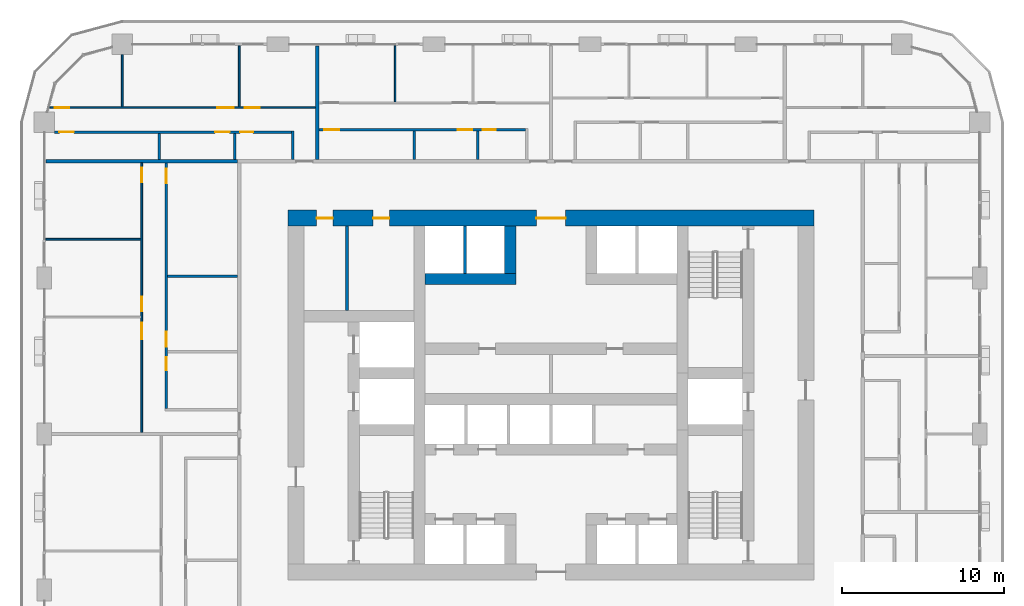
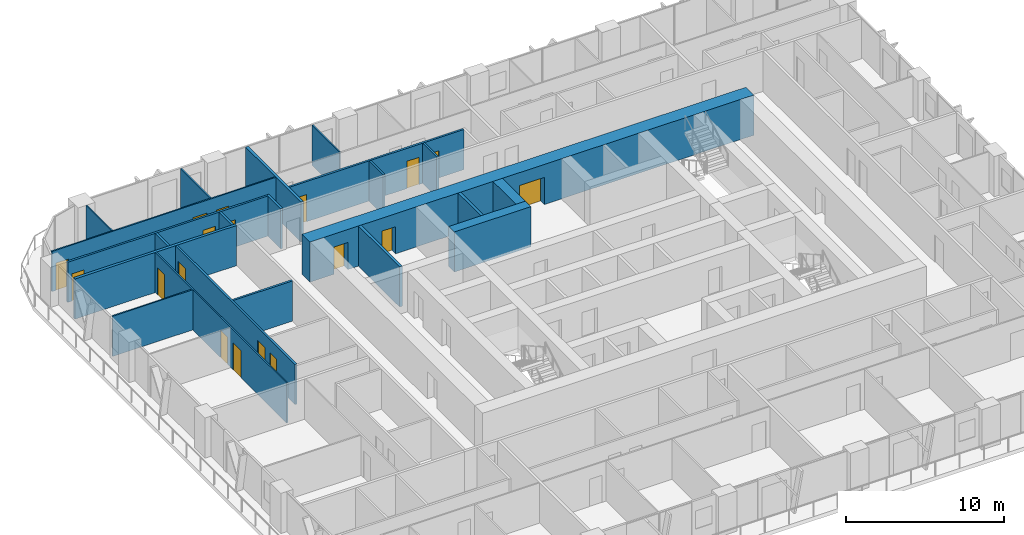
# One storey, part 13 of 21: 22 walls, 18 doors, 18 openings.
"""IFC4 building model written with IfcOpenShell, lengths in metres."""

from ifc_helpers import new_model, si_unit, direction, frame, frame_2d, origin, place, context, subcontext, project, spatial, rectangle, extrude, material, layer, layer_set, type_object, element, fill, save


model = new_model("IFC4")

# Units and contexts
model_context = context("Model", 3, precision=1e-05, world=origin(), true_north=direction((0.0, 1.0)))
body_context = subcontext(model_context, "Body", "Model", "MODEL_VIEW")
ifc_project = project(units=[si_unit("LENGTHUNIT", "METRE"), si_unit("AREAUNIT", "SQUARE_METRE"), si_unit("VOLUMEUNIT", "CUBIC_METRE"), si_unit("PLANEANGLEUNIT", "RADIAN"), si_unit("MASSUNIT", "GRAM", prefix="KILO")], contexts=[model_context])

# Site, building, storey
site_placement = place(None, origin())
site = spatial("IfcSite", under=ifc_project, at=site_placement, CompositionType="ELEMENT")
building_placement = place(site_placement, origin())
building = spatial("IfcBuilding", under=site, at=building_placement, Name="Madar Terraces", CompositionType="ELEMENT")
storey_placement = place(building_placement, frame((0.0, 0.0, 50.39990234375)))
storey = spatial("IfcBuildingStorey", under=building, at=storey_placement, Name="L12", CompositionType="ELEMENT", Elevation=50.39990234375)

# Walls
ifc_material_1 = material(Name="Concrete C80/95", Category="concrete")
ifc_layer_1 = layer(ifc_material_1, 0.699951171875)
ifc_layer_set_1 = layer_set([ifc_layer_1], Name="Concrete C80/95 (CIW1 RC wall 700)")
wall_type_1 = type_object("IfcWallType", Name="CIW1 RC wall 700", PredefinedType="SHEAR", material=ifc_layer_set_1)
wall_1_placement = place(storey_placement, frame((23.449951171875, 33.550048828125, 0.0), z_axis=(0.0, 0.0, 1.0), x_axis=(1.0, 0.0, 0.0)))
element("IfcWall", 1, at=wall_1_placement, inside=storey, type_object=wall_type_1, Name="CORE SHAFT WALL", PredefinedType="SHEAR", context=body_context, shape_type="SweptSolid", body=[
    extrude(rectangle(XDim=5.60009765625, YDim=0.699951171875, at=frame_2d((2.800048828125, 0.0))), origin(), (0.0, 0.0, 1.0), 3.10009765625),
])
wall_2_placement = place(storey_placement, frame((28.699951171875, 33.89990234375, 0.0), z_axis=(0.0, 0.0, 1.0), x_axis=(0.0, 1.0, 0.0)))
element("IfcWall", 2, at=wall_2_placement, inside=storey, type_object=wall_type_1, Name="CORE SHAFT WALL", PredefinedType="SHEAR", context=body_context, shape_type="SweptSolid", body=[
    extrude(rectangle(XDim=2.900146484375, YDim=0.699951171875, at=frame_2d((1.4501953125, 0.0))), origin(), (0.0, 0.0, 1.0), 3.10009765625),
])

# Wall, openings, doors
ifc_material_2 = material(Name="Concrete C80/95", Category="concrete")
ifc_layer_2 = layer(ifc_material_2, 1.0)
ifc_layer_set_2 = layer_set([ifc_layer_2], Name="Concrete C80/95 (CRW1 RC wall 1000)")
wall_type_2 = type_object("IfcWallType", Name="CRW1 RC wall 1000", PredefinedType="SHEAR", material=ifc_layer_set_2)
wall_3_placement = place(storey_placement, frame((15.0, 37.300048828125, 0.0), z_axis=(0.0, 0.0, 1.0), x_axis=(1.0, 0.0, 0.0)))
wall_3 = element("IfcWall", 3, at=wall_3_placement, inside=storey, type_object=wall_type_2, Name="CORE OUTER WALL", PredefinedType="SHEAR", context=body_context, shape_type="SweptSolid", body=[
    extrude(rectangle(XDim=32.39990234375, YDim=1.0, at=frame_2d((16.199951171875, 0.0))), origin(), (0.0, 0.0, 1.0), 3.10009765625),
])
opening_1_placement = place(wall_3_placement, frame((15.300048828125, 0.0, 0.0)))
opening_1 = element("IfcOpeningElement", 4, at=opening_1_placement, cuts=wall_3, Name="Opening KD1", PredefinedType="OPENING", context=body_context, shape_type="SweptSolid", body=[
    extrude(rectangle(XDim=1.800048828125, YDim=2.10009765625, at=frame_2d((0.89990234375, 1.050048828125))), frame((0.0, 0.510009765625, 0.0), z_axis=(0.0, -1.0, 0.0), x_axis=(1.0, 0.0, 0.0)), (0.0, 0.0, 1.0), 1.02001953125),
])
opening_2_placement = place(wall_3_placement, frame((1.766357421875, 0.0, 0.0)))
opening_2 = element("IfcOpeningElement", 5, at=opening_2_placement, cuts=wall_3, Name="Opening KD2", PredefinedType="OPENING", context=body_context, shape_type="SweptSolid", body=[
    extrude(rectangle(XDim=1.0, YDim=2.10009765625, at=frame_2d((0.5, 1.050048828125))), frame((0.0, 0.510009765625, 0.0), z_axis=(0.0, -1.0, 0.0), x_axis=(1.0, 0.0, 0.0)), (0.0, 0.0, 1.0), 1.02001953125),
])
opening_3_placement = place(wall_3_placement, frame((5.2412109375, 0.0, 0.0)))
opening_3 = element("IfcOpeningElement", 6, at=opening_3_placement, cuts=wall_3, Name="Opening KD2", PredefinedType="OPENING", context=body_context, shape_type="SweptSolid", body=[
    extrude(rectangle(XDim=1.0, YDim=2.10009765625, at=frame_2d((0.5, 1.050048828125))), frame((0.0, 0.510009765625, 0.0), z_axis=(0.0, -1.0, 0.0), x_axis=(1.0, 0.0, 0.0)), (0.0, 0.0, 1.0), 1.02001953125),
])
ifc_material_3 = material(Name="Steel door leaf", Category="steel")
door_type_1 = type_object("IfcDoorType", Name="Lobby door pair 1800 x 2100", OperationType="DOUBLE_DOOR_SINGLE_SWING", PredefinedType="DOOR", material=ifc_material_3)
door_1_placement = place(opening_1_placement, origin())
door_1 = element("IfcDoor", 7, at=door_1_placement, inside=storey, type_object=door_type_1, Name="LIFT LOBBY DOOR", OperationType="DOUBLE_DOOR_SINGLE_SWING", OverallHeight=2.10009765625, OverallWidth=1.800048828125, PredefinedType="DOOR", context=body_context, shape_type="SweptSolid", body=[
    extrude(rectangle(XDim=1.800048828125, YDim=2.10009765625, at=frame_2d((0.89990234375, 1.050048828125))), frame((0.0, 0.02490234375, 0.0), z_axis=(0.0, -1.0, 0.0), x_axis=(1.0, 0.0, 0.0)), (0.0, 0.0, 1.0), 0.050048828125),
])
fill(opening_1, door_1)
ifc_material_4 = material(Name="Steel door leaf", Category="steel")
door_type_2 = type_object("IfcDoorType", Name="Service room door 1000 x 2100", OperationType="NOTDEFINED", PredefinedType="DOOR", material=ifc_material_4)
door_2_placement = place(opening_2_placement, origin())
door_2 = element("IfcDoor", 8, at=door_2_placement, inside=storey, type_object=door_type_2, Name="SERVICE ROOM DOOR", OperationType="SINGLE_SWING_LEFT", OverallHeight=2.10009765625, OverallWidth=1.0, PredefinedType="DOOR", context=body_context, shape_type="SweptSolid", body=[
    extrude(rectangle(XDim=1.0, YDim=2.10009765625, at=frame_2d((0.5, 1.050048828125))), frame((0.0, 0.02490234375, 0.0), z_axis=(0.0, -1.0, 0.0), x_axis=(1.0, 0.0, 0.0)), (0.0, 0.0, 1.0), 0.050048828125),
])
fill(opening_2, door_2)
door_3_placement = place(opening_3_placement, origin())
door_3 = element("IfcDoor", 9, at=door_3_placement, inside=storey, type_object=door_type_2, Name="SERVICE ROOM DOOR", OperationType="SINGLE_SWING_RIGHT", OverallHeight=2.10009765625, OverallWidth=1.0, PredefinedType="DOOR", context=body_context, shape_type="SweptSolid", body=[
    extrude(rectangle(XDim=1.0, YDim=2.10009765625, at=frame_2d((0.5, 1.050048828125))), frame((0.0, 0.02490234375, 0.0), z_axis=(0.0, -1.0, 0.0), x_axis=(1.0, 0.0, 0.0)), (0.0, 0.0, 1.0), 0.050048828125),
])
fill(opening_3, door_3)

# Walls
ifc_material_5 = material(Name="Masonry blockwork", Category="masonry")
ifc_layer_3 = layer(ifc_material_5, 0.199951171875)
ifc_layer_set_3 = layer_set([ifc_layer_3], Name="Core partition 200 blockwork")
wall_type_3 = type_object("IfcWallType", Name="Core partition 200 blockwork", PredefinedType="PARTITIONING", material=ifc_layer_set_3)
wall_4_placement = place(storey_placement, frame((18.632568359375, 31.60009765625, 0.0), z_axis=(0.0, 0.0, 1.0), x_axis=(0.0, 1.0, 0.0)))
element("IfcWall", 10, at=wall_4_placement, inside=storey, type_object=wall_type_3, Name="SERVICE ROOM PARTITION", PredefinedType="PARTITIONING", context=body_context, shape_type="SweptSolid", body=[
    extrude(rectangle(XDim=5.199951171875, YDim=0.199951171875, at=frame_2d((2.60009765625, 0.0))), origin(), (0.0, 0.0, 1.0), 3.10009765625),
])
ifc_material_6 = material(Name="Concrete C40/50", Category="concrete")
ifc_layer_4 = layer(ifc_material_6, 0.199951171875)
ifc_layer_set_4 = layer_set([ifc_layer_4], Name="Core shaft dividing wall 200 C40/50")
wall_type_4 = type_object("IfcWallType", Name="Core shaft dividing wall 200 C40/50", PredefinedType="SOLIDWALL", material=ifc_layer_set_4)
wall_5_placement = place(storey_placement, frame((25.89990234375, 33.89990234375, 0.0), z_axis=(0.0, 0.0, 1.0), x_axis=(0.0, 1.0, 0.0)))
element("IfcWall", 11, at=wall_5_placement, inside=storey, type_object=wall_type_4, Name="SHAFT DIVIDING WALL", PredefinedType="SOLIDWALL", context=body_context, shape_type="SweptSolid", body=[
    extrude(rectangle(XDim=2.900146484375, YDim=0.199951171875, at=frame_2d((1.4501953125, 0.0))), origin(), (0.0, 0.0, 1.0), 3.10009765625),
])
ifc_material_7 = material(Name="Gypsum board on steel studs", Category="steel")
ifc_layer_5 = layer(ifc_material_7, 0.10009765625)
ifc_layer_set_5 = layer_set([ifc_layer_5], Name="Flat partition 100")
wall_type_5 = type_object("IfcWallType", Name="Flat partition 100", PredefinedType="PARTITIONING", material=ifc_layer_set_5)
wall_6_placement = place(storey_placement, frame((21.60009765625, 44.449951171875, 0.0), z_axis=(0.0, 0.0, 1.0), x_axis=(0.0, 1.0, 0.0)))
element("IfcWall", 12, at=wall_6_placement, inside=storey, type_object=wall_type_5, Name="Flat partition 100", PredefinedType="PARTITIONING", context=body_context, shape_type="SweptSolid", body=[
    extrude(rectangle(XDim=3.449951171875, YDim=0.10009765625, at=frame_2d((1.72509765625, 0.0))), origin(), (0.0, 0.0, 1.0), 3.10009765625),
])
wall_7_placement = place(storey_placement, frame((12.0, 44.14990234375, 0.0), z_axis=(0.0, 0.0, 1.0), x_axis=(0.0, 1.0, 0.0)))
element("IfcWall", 13, at=wall_7_placement, inside=storey, type_object=wall_type_5, Name="Flat partition 100", PredefinedType="PARTITIONING", context=body_context, shape_type="SweptSolid", body=[
    extrude(rectangle(XDim=3.75, YDim=0.10009765625, at=frame_2d((1.875, 0.0))), origin(), (0.0, 0.0, 1.0), 3.10009765625),
])
wall_8_placement = place(storey_placement, frame((4.800048828125, 44.14990234375, 0.0), z_axis=(0.0, 0.0, 1.0), x_axis=(0.0, 1.0, 0.0)))
element("IfcWall", 14, at=wall_8_placement, inside=storey, type_object=wall_type_5, Name="Flat partition 100", PredefinedType="PARTITIONING", context=body_context, shape_type="SweptSolid", body=[
    extrude(rectangle(XDim=3.22509765625, YDim=0.10009765625, at=frame_2d((1.612548828125, 0.0))), origin(), (0.0, 0.0, 1.0), 3.10009765625),
])

# Wall, openings, doors
wall_9_placement = place(storey_placement, frame((0.34130859375, 44.10009765625, 0.0), z_axis=(0.0, 0.0, 1.0), x_axis=(1.0, 0.0, 0.0)))
wall_9 = element("IfcWall", 15, at=wall_9_placement, inside=storey, type_object=wall_type_5, Name="Flat partition 100", PredefinedType="PARTITIONING", context=body_context, shape_type="SweptSolid", body=[
    extrude(rectangle(XDim=16.358642578125, YDim=0.10009765625, at=frame_2d((8.17919921875, 0.0))), origin(), (0.0, 0.0, 1.0), 3.10009765625),
])
opening_4_placement = place(wall_9_placement, frame((12.0087890625, 0.0, 0.0)))
opening_4 = element("IfcOpeningElement", 16, at=opening_4_placement, cuts=wall_9, Name="Opening D2", PredefinedType="OPENING", context=body_context, shape_type="SweptSolid", body=[
    extrude(rectangle(XDim=0.89990234375, YDim=2.10009765625, at=frame_2d((0.449951171875, 1.050048828125))), frame((0.0, 0.06005859375, 0.0), z_axis=(0.0, -1.0, 0.0), x_axis=(1.0, 0.0, 0.0)), (0.0, 0.0, 1.0), 0.1201171875),
])
opening_5_placement = place(wall_9_placement, frame((10.308837890625, 0.0, 0.0)))
opening_5 = element("IfcOpeningElement", 17, at=opening_5_placement, cuts=wall_9, Name="Opening D3", PredefinedType="OPENING", context=body_context, shape_type="SweptSolid", body=[
    extrude(rectangle(XDim=1.0, YDim=2.10009765625, at=frame_2d((0.5, 1.050048828125))), frame((0.0, 0.06005859375, 0.0), z_axis=(0.0, -1.0, 0.0), x_axis=(1.0, 0.0, 0.0)), (0.0, 0.0, 1.0), 0.1201171875),
])
opening_6_placement = place(wall_9_placement, frame((0.300048828125, 0.0, 0.0)))
opening_6 = element("IfcOpeningElement", 18, at=opening_6_placement, cuts=wall_9, Name="Opening D2", PredefinedType="OPENING", context=body_context, shape_type="SweptSolid", body=[
    extrude(rectangle(XDim=0.89990234375, YDim=2.10009765625, at=frame_2d((0.449951171875, 1.050048828125))), frame((0.0, 0.06005859375, 0.0), z_axis=(0.0, -1.0, 0.0), x_axis=(1.0, 0.0, 0.0)), (0.0, 0.0, 1.0), 0.1201171875),
])
ifc_material_8 = material(Name="Timber door leaf", Category="wood")
door_type_3 = type_object("IfcDoorType", Name="Flat living room door 1000", OperationType="NOTDEFINED", PredefinedType="DOOR", material=ifc_material_8)
door_4_placement = place(opening_5_placement, origin())
door_4 = element("IfcDoor", 19, at=door_4_placement, inside=storey, type_object=door_type_3, Name="Flat living room door 1000", OperationType="SINGLE_SWING_RIGHT", OverallHeight=2.10009765625, OverallWidth=1.0, PredefinedType="DOOR", context=body_context, shape_type="SweptSolid", body=[
    extrude(rectangle(XDim=1.0, YDim=2.10009765625, at=frame_2d((0.5, 1.050048828125))), frame((0.0, 0.02490234375, 0.0), z_axis=(0.0, -1.0, 0.0), x_axis=(1.0, 0.0, 0.0)), (0.0, 0.0, 1.0), 0.050048828125),
])
fill(opening_5, door_4)
ifc_material_9 = material(Name="Timber door leaf", Category="wood")
door_type_4 = type_object("IfcDoorType", Name="Flat room door 900", OperationType="NOTDEFINED", PredefinedType="DOOR", material=ifc_material_9)
door_5_placement = place(opening_4_placement, origin())
door_5 = element("IfcDoor", 20, at=door_5_placement, inside=storey, type_object=door_type_4, Name="Flat room door 900", OperationType="SINGLE_SWING_LEFT", OverallHeight=2.10009765625, OverallWidth=0.89990234375, PredefinedType="DOOR", context=body_context, shape_type="SweptSolid", body=[
    extrude(rectangle(XDim=0.89990234375, YDim=2.10009765625, at=frame_2d((0.449951171875, 1.050048828125))), frame((0.0, 0.02490234375, 0.0), z_axis=(0.0, -1.0, 0.0), x_axis=(1.0, 0.0, 0.0)), (0.0, 0.0, 1.0), 0.050048828125),
])
fill(opening_4, door_5)
door_6_placement = place(opening_6_placement, origin())
door_6 = element("IfcDoor", 21, at=door_6_placement, inside=storey, type_object=door_type_4, Name="Flat room door 900", OperationType="SINGLE_SWING_LEFT", OverallHeight=2.10009765625, OverallWidth=0.89990234375, PredefinedType="DOOR", context=body_context, shape_type="SweptSolid", body=[
    extrude(rectangle(XDim=0.89990234375, YDim=2.10009765625, at=frame_2d((0.449951171875, 1.050048828125))), frame((0.0, 0.02490234375, 0.0), z_axis=(0.0, -1.0, 0.0), x_axis=(1.0, 0.0, 0.0)), (0.0, 0.0, 1.0), 0.050048828125),
])
fill(opening_6, door_6)

# Wall
wall_10_placement = place(storey_placement, frame((5.949951171875, 36.0, 0.0), z_axis=(0.0, 0.0, 1.0), x_axis=(-1.0, 0.0, 0.0)))
element("IfcWall", 22, at=wall_10_placement, inside=storey, type_object=wall_type_5, Name="Flat partition 100", PredefinedType="PARTITIONING", context=body_context, shape_type="SweptSolid", body=[
    extrude(rectangle(XDim=5.849853515625, YDim=0.10009765625, at=frame_2d((2.9248046875, 0.0))), origin(), (0.0, 0.0, 1.0), 3.10009765625),
])

# Wall, openings, doors
wall_11_placement = place(storey_placement, frame((6.0, 24.10009765625, 0.0), z_axis=(0.0, 0.0, 1.0), x_axis=(0.0, 1.0, 0.0)))
wall_11 = element("IfcWall", 23, at=wall_11_placement, inside=storey, type_object=wall_type_5, Name="Flat partition 100", PredefinedType="PARTITIONING", context=body_context, shape_type="SweptSolid", body=[
    extrude(rectangle(XDim=16.599853515625, YDim=0.10009765625, at=frame_2d((8.2998046875, 0.0))), origin(), (0.0, 0.0, 1.0), 3.10009765625),
])
opening_7_placement = place(wall_11_placement, frame((5.75, 0.0, 0.0)))
opening_7 = element("IfcOpeningElement", 24, at=opening_7_placement, cuts=wall_11, Name="Opening D3", PredefinedType="OPENING", context=body_context, shape_type="SweptSolid", body=[
    extrude(rectangle(XDim=1.0, YDim=2.10009765625, at=frame_2d((0.5, 1.050048828125))), frame((0.0, 0.06005859375, 0.0), z_axis=(0.0, -1.0, 0.0), x_axis=(1.0, 0.0, 0.0)), (0.0, 0.0, 1.0), 0.1201171875),
])
opening_8_placement = place(wall_11_placement, frame((7.449951171875, 0.0, 0.0)))
opening_8 = element("IfcOpeningElement", 25, at=opening_8_placement, cuts=wall_11, Name="Opening D2", PredefinedType="OPENING", context=body_context, shape_type="SweptSolid", body=[
    extrude(rectangle(XDim=0.89990234375, YDim=2.10009765625, at=frame_2d((0.449951171875, 1.050048828125))), frame((0.0, 0.06005859375, 0.0), z_axis=(0.0, -1.0, 0.0), x_axis=(1.0, 0.0, 0.0)), (0.0, 0.0, 1.0), 0.1201171875),
])
opening_9_placement = place(wall_11_placement, frame((15.39990234375, 0.0, 0.0)))
opening_9 = element("IfcOpeningElement", 26, at=opening_9_placement, cuts=wall_11, Name="Opening D2", PredefinedType="OPENING", context=body_context, shape_type="SweptSolid", body=[
    extrude(rectangle(XDim=0.89990234375, YDim=2.10009765625, at=frame_2d((0.449951171875, 1.050048828125))), frame((0.0, 0.06005859375, 0.0), z_axis=(0.0, -1.0, 0.0), x_axis=(1.0, 0.0, 0.0)), (0.0, 0.0, 1.0), 0.1201171875),
])
door_7_placement = place(opening_7_placement, origin())
door_7 = element("IfcDoor", 27, at=door_7_placement, inside=storey, type_object=door_type_3, Name="Flat living room door 1000", OperationType="SINGLE_SWING_RIGHT", OverallHeight=2.10009765625, OverallWidth=1.0, PredefinedType="DOOR", context=body_context, shape_type="SweptSolid", body=[
    extrude(rectangle(XDim=1.0, YDim=2.10009765625, at=frame_2d((0.5, 1.050048828125))), frame((0.0, 0.02490234375, 0.0), z_axis=(0.0, -1.0, 0.0), x_axis=(1.0, 0.0, 0.0)), (0.0, 0.0, 1.0), 0.050048828125),
])
fill(opening_7, door_7)
door_8_placement = place(opening_8_placement, origin())
door_8 = element("IfcDoor", 28, at=door_8_placement, inside=storey, type_object=door_type_4, Name="Flat room door 900", OperationType="SINGLE_SWING_LEFT", OverallHeight=2.10009765625, OverallWidth=0.89990234375, PredefinedType="DOOR", context=body_context, shape_type="SweptSolid", body=[
    extrude(rectangle(XDim=0.89990234375, YDim=2.10009765625, at=frame_2d((0.449951171875, 1.050048828125))), frame((0.0, 0.02490234375, 0.0), z_axis=(0.0, -1.0, 0.0), x_axis=(1.0, 0.0, 0.0)), (0.0, 0.0, 1.0), 0.050048828125),
])
fill(opening_8, door_8)
door_9_placement = place(opening_9_placement, origin())
door_9 = element("IfcDoor", 29, at=door_9_placement, inside=storey, type_object=door_type_4, Name="Flat room door 900", OperationType="SINGLE_SWING_RIGHT", OverallHeight=2.10009765625, OverallWidth=0.89990234375, PredefinedType="DOOR", context=body_context, shape_type="SweptSolid", body=[
    extrude(rectangle(XDim=0.89990234375, YDim=2.10009765625, at=frame_2d((0.449951171875, 1.050048828125))), frame((0.0, 0.02490234375, 0.0), z_axis=(0.0, -1.0, 0.0), x_axis=(1.0, 0.0, 0.0)), (0.0, 0.0, 1.0), 0.050048828125),
])
fill(opening_9, door_9)

# Walls
ifc_material_10 = material(Name="Lightweight blockwork", Category="masonry")
ifc_layer_6 = layer(ifc_material_10, 0.199951171875)
ifc_layer_set_6 = layer_set([ifc_layer_6], Name="Flat party and entrance wall 200")
wall_type_6 = type_object("IfcWallType", Name="Flat party and entrance wall 200", PredefinedType="PARTITIONING", material=ifc_layer_set_6)
wall_12_placement = place(storey_placement, frame((16.800048828125, 47.89990234375, 0.0), z_axis=(0.0, 0.0, 1.0), x_axis=(0.0, -1.0, 0.0)))
element("IfcWall", 30, at=wall_12_placement, inside=storey, type_object=wall_type_6, Name="Flat party and entrance wall 200", PredefinedType="PARTITIONING", context=body_context, shape_type="SweptSolid", body=[
    extrude(rectangle(XDim=7.0, YDim=0.199951171875, at=frame_2d((3.5, 0.0))), origin(), (0.0, 0.0, 1.0), 3.10009765625),
])
wall_13_placement = place(storey_placement, frame((0.10009765625, 40.800048828125, 0.0), z_axis=(0.0, 0.0, 1.0), x_axis=(1.0, 0.0, 0.0)))
element("IfcWall", 31, at=wall_13_placement, inside=storey, type_object=wall_type_6, Name="Flat party and entrance wall 200", PredefinedType="PARTITIONING", context=body_context, shape_type="SweptSolid", body=[
    extrude(rectangle(XDim=11.7998046875, YDim=0.199951171875, at=frame_2d((5.89990234375, 0.0))), origin(), (0.0, 0.0, 1.0), 3.10009765625),
])
ifc_material_11 = material(Name="Lightweight blockwork", Category="masonry")
ifc_layer_7 = layer(ifc_material_11, 0.14990234375)
ifc_layer_set_7 = layer_set([ifc_layer_7], Name="Flat wet-room partition 150")
wall_type_7 = type_object("IfcWallType", Name="Flat wet-room partition 150", PredefinedType="PARTITIONING", material=ifc_layer_set_7)
for number, where, z_axis, x_axis, name in (
    (32, (26.6884765625, 40.89990234375, 0.0), (0.0, 0.0, 1.0), (0.0, 1.0, 0.0), "Flat wet-room partition 150"),
    (33, (22.773193359375, 40.89990234375, 0.0), (0.0, 0.0, 1.0), (0.0, 1.0, 0.0), "Flat wet-room partition 150"),
):
    element("IfcWall", number, at=place(storey_placement, frame(where, z_axis=z_axis, x_axis=x_axis)), inside=storey, type_object=wall_type_7, Name=name, PredefinedType="PARTITIONING", context=body_context, shape_type="SweptSolid", body=[
        extrude(rectangle(XDim=1.775146484375, YDim=0.14990234375, at=frame_2d((0.8876953125, 0.0))), origin(), (0.0, 0.0, 1.0), 3.10009765625),
    ])

# Wall, openings, doors
wall_14_placement = place(storey_placement, frame((29.625, 42.75, 0.0), z_axis=(0.0, 0.0, 1.0), x_axis=(-1.0, 0.0, 0.0)))
wall_14 = element("IfcWall", 34, at=wall_14_placement, inside=storey, type_object=wall_type_7, Name="Flat wet-room partition 150", PredefinedType="PARTITIONING", context=body_context, shape_type="SweptSolid", body=[
    extrude(rectangle(XDim=12.72509765625, YDim=0.14990234375, at=frame_2d((6.362548828125, 0.0))), origin(), (0.0, 0.0, 1.0), 3.10009765625),
])
opening_10_placement = place(wall_14_placement, frame((1.8115234375, 0.0, 0.0)))
opening_10 = element("IfcOpeningElement", 35, at=opening_10_placement, cuts=wall_14, Name="Opening D4", PredefinedType="OPENING", context=body_context, shape_type="SweptSolid", body=[
    extrude(rectangle(XDim=0.800048828125, YDim=2.10009765625, at=frame_2d((0.39990234375, 1.050048828125))), frame((0.0, 0.0849609375, 0.0), z_axis=(0.0, -1.0, 0.0), x_axis=(1.0, 0.0, 0.0)), (0.0, 0.0, 1.0), 0.169921875),
])
opening_11_placement = place(wall_14_placement, frame((3.261474609375, 0.0, 0.0)))
opening_11 = element("IfcOpeningElement", 36, at=opening_11_placement, cuts=wall_14, Name="Opening D5", PredefinedType="OPENING", context=body_context, shape_type="SweptSolid", body=[
    extrude(rectangle(XDim=0.89990234375, YDim=2.10009765625, at=frame_2d((0.449951171875, 1.050048828125))), frame((0.0, 0.0849609375, 0.0), z_axis=(0.0, -1.0, 0.0), x_axis=(1.0, 0.0, 0.0)), (0.0, 0.0, 1.0), 0.169921875),
])
opening_12_placement = place(wall_14_placement, frame((11.47509765625, 0.0, 0.0)))
opening_12 = element("IfcOpeningElement", 37, at=opening_12_placement, cuts=wall_14, Name="Opening D2", PredefinedType="OPENING", context=body_context, shape_type="SweptSolid", body=[
    extrude(rectangle(XDim=0.89990234375, YDim=2.10009765625, at=frame_2d((0.449951171875, 1.050048828125))), frame((0.0, 0.0849609375, 0.0), z_axis=(0.0, -1.0, 0.0), x_axis=(1.0, 0.0, 0.0)), (0.0, 0.0, 1.0), 0.169921875),
])
ifc_material_12 = material(Name="Timber door leaf", Category="wood")
door_type_5 = type_object("IfcDoorType", Name="Flat accessible bathroom door 900", OperationType="NOTDEFINED", PredefinedType="DOOR", material=ifc_material_12)
door_10_placement = place(opening_11_placement, origin())
door_10 = element("IfcDoor", 38, at=door_10_placement, inside=storey, type_object=door_type_5, Name="Flat accessible bathroom door 900", OperationType="SINGLE_SWING_LEFT", OverallHeight=2.10009765625, OverallWidth=0.89990234375, PredefinedType="DOOR", context=body_context, shape_type="SweptSolid", body=[
    extrude(rectangle(XDim=0.89990234375, YDim=2.10009765625, at=frame_2d((0.449951171875, 1.050048828125))), frame((0.0, 0.02490234375, 0.0), z_axis=(0.0, -1.0, 0.0), x_axis=(1.0, 0.0, 0.0)), (0.0, 0.0, 1.0), 0.050048828125),
])
fill(opening_11, door_10)
ifc_material_13 = material(Name="Timber door leaf", Category="wood")
door_type_6 = type_object("IfcDoorType", Name="Flat bathroom door 800", OperationType="NOTDEFINED", PredefinedType="DOOR", material=ifc_material_13)
door_11_placement = place(opening_10_placement, origin())
door_11 = element("IfcDoor", 39, at=door_11_placement, inside=storey, type_object=door_type_6, Name="Flat bathroom door 800", OperationType="SINGLE_SWING_RIGHT", OverallHeight=2.10009765625, OverallWidth=0.800048828125, PredefinedType="DOOR", context=body_context, shape_type="SweptSolid", body=[
    extrude(rectangle(XDim=0.800048828125, YDim=2.10009765625, at=frame_2d((0.39990234375, 1.050048828125))), frame((0.0, 0.02490234375, 0.0), z_axis=(0.0, -1.0, 0.0), x_axis=(1.0, 0.0, 0.0)), (0.0, 0.0, 1.0), 0.050048828125),
])
fill(opening_10, door_11)
door_12_placement = place(opening_12_placement, origin())
door_12 = element("IfcDoor", 40, at=door_12_placement, inside=storey, type_object=door_type_4, Name="Flat room door 900", OperationType="SINGLE_SWING_RIGHT", OverallHeight=2.10009765625, OverallWidth=0.89990234375, PredefinedType="DOOR", context=body_context, shape_type="SweptSolid", body=[
    extrude(rectangle(XDim=0.89990234375, YDim=2.10009765625, at=frame_2d((0.449951171875, 1.050048828125))), frame((0.0, 0.02490234375, 0.0), z_axis=(0.0, -1.0, 0.0), x_axis=(1.0, 0.0, 0.0)), (0.0, 0.0, 1.0), 0.050048828125),
])
fill(opening_12, door_12)

# Walls
for number, where, z_axis, x_axis, name in (
    (41, (11.734619140625, 40.89990234375, 0.0), (0.0, 0.0, 1.0), (0.0, 1.0, 0.0), "Flat wet-room partition 150"),
    (42, (7.080810546875, 40.89990234375, 0.0), (0.0, 0.0, 1.0), (0.0, 1.0, 0.0), "Flat wet-room partition 150"),
):
    element("IfcWall", number, at=place(storey_placement, frame(where, z_axis=z_axis, x_axis=x_axis)), inside=storey, type_object=wall_type_7, Name=name, PredefinedType="PARTITIONING", context=body_context, shape_type="SweptSolid", body=[
        extrude(rectangle(XDim=1.625, YDim=0.14990234375, at=frame_2d((0.8125, 0.0))), origin(), (0.0, 0.0, 1.0), 3.10009765625),
    ])
wall_15_placement = place(storey_placement, frame((15.300048828125, 40.89990234375, 0.0), z_axis=(0.0, 0.0, 1.0), x_axis=(0.0, 1.0, 0.0)))
element("IfcWall", 43, at=wall_15_placement, inside=storey, type_object=wall_type_7, Name="Flat wet-room partition 150", PredefinedType="PARTITIONING", context=body_context, shape_type="SweptSolid", body=[
    extrude(rectangle(XDim=1.775146484375, YDim=0.14990234375, at=frame_2d((0.8876953125, 0.0))), origin(), (0.0, 0.0, 1.0), 3.10009765625),
])

# Wall, openings, doors
wall_16_placement = place(storey_placement, frame((15.22509765625, 42.60009765625, 0.0), z_axis=(0.0, 0.0, 1.0), x_axis=(-1.0, 0.0, 0.0)))
wall_16 = element("IfcWall", 44, at=wall_16_placement, inside=storey, type_object=wall_type_7, Name="Flat wet-room partition 150", PredefinedType="PARTITIONING", context=body_context, shape_type="SweptSolid", body=[
    extrude(rectangle(XDim=14.60009765625, YDim=0.14990234375, at=frame_2d((7.300048828125, 0.0))), origin(), (0.0, 0.0, 1.0), 3.10009765625),
])
opening_13_placement = place(wall_16_placement, frame((2.365478515625, 0.0, 0.0)))
opening_13 = element("IfcOpeningElement", 45, at=opening_13_placement, cuts=wall_16, Name="Opening D4", PredefinedType="OPENING", context=body_context, shape_type="SweptSolid", body=[
    extrude(rectangle(XDim=0.800048828125, YDim=2.10009765625, at=frame_2d((0.39990234375, 1.050048828125))), frame((0.0, 0.0849609375, 0.0), z_axis=(0.0, -1.0, 0.0), x_axis=(1.0, 0.0, 0.0)), (0.0, 0.0, 1.0), 0.169921875),
])
opening_14_placement = place(wall_16_placement, frame((3.8154296875, 0.0, 0.0)))
opening_14 = element("IfcOpeningElement", 46, at=opening_14_placement, cuts=wall_16, Name="Opening D5", PredefinedType="OPENING", context=body_context, shape_type="SweptSolid", body=[
    extrude(rectangle(XDim=0.89990234375, YDim=2.10009765625, at=frame_2d((0.449951171875, 1.050048828125))), frame((0.0, 0.0849609375, 0.0), z_axis=(0.0, -1.0, 0.0), x_axis=(1.0, 0.0, 0.0)), (0.0, 0.0, 1.0), 0.169921875),
])
opening_15_placement = place(wall_16_placement, frame((13.39990234375, 0.0, 0.0)))
opening_15 = element("IfcOpeningElement", 47, at=opening_15_placement, cuts=wall_16, Name="Opening D2", PredefinedType="OPENING", context=body_context, shape_type="SweptSolid", body=[
    extrude(rectangle(XDim=0.89990234375, YDim=2.10009765625, at=frame_2d((0.449951171875, 1.050048828125))), frame((0.0, 0.0849609375, 0.0), z_axis=(0.0, -1.0, 0.0), x_axis=(1.0, 0.0, 0.0)), (0.0, 0.0, 1.0), 0.169921875),
])
door_13_placement = place(opening_14_placement, origin())
door_13 = element("IfcDoor", 48, at=door_13_placement, inside=storey, type_object=door_type_5, Name="Flat accessible bathroom door 900", OperationType="SINGLE_SWING_LEFT", OverallHeight=2.10009765625, OverallWidth=0.89990234375, PredefinedType="DOOR", context=body_context, shape_type="SweptSolid", body=[
    extrude(rectangle(XDim=0.89990234375, YDim=2.10009765625, at=frame_2d((0.449951171875, 1.050048828125))), frame((0.0, 0.02490234375, 0.0), z_axis=(0.0, -1.0, 0.0), x_axis=(1.0, 0.0, 0.0)), (0.0, 0.0, 1.0), 0.050048828125),
])
fill(opening_14, door_13)
door_14_placement = place(opening_13_placement, origin())
door_14 = element("IfcDoor", 49, at=door_14_placement, inside=storey, type_object=door_type_6, Name="Flat bathroom door 800", OperationType="SINGLE_SWING_RIGHT", OverallHeight=2.10009765625, OverallWidth=0.800048828125, PredefinedType="DOOR", context=body_context, shape_type="SweptSolid", body=[
    extrude(rectangle(XDim=0.800048828125, YDim=2.10009765625, at=frame_2d((0.39990234375, 1.050048828125))), frame((0.0, 0.02490234375, 0.0), z_axis=(0.0, -1.0, 0.0), x_axis=(1.0, 0.0, 0.0)), (0.0, 0.0, 1.0), 0.050048828125),
])
fill(opening_13, door_14)
door_15_placement = place(opening_15_placement, origin())
door_15 = element("IfcDoor", 50, at=door_15_placement, inside=storey, type_object=door_type_4, Name="Flat room door 900", OperationType="SINGLE_SWING_RIGHT", OverallHeight=2.10009765625, OverallWidth=0.89990234375, PredefinedType="DOOR", context=body_context, shape_type="SweptSolid", body=[
    extrude(rectangle(XDim=0.89990234375, YDim=2.10009765625, at=frame_2d((0.449951171875, 1.050048828125))), frame((0.0, 0.02490234375, 0.0), z_axis=(0.0, -1.0, 0.0), x_axis=(1.0, 0.0, 0.0)), (0.0, 0.0, 1.0), 0.050048828125),
])
fill(opening_15, door_15)

# Wall
wall_17_placement = place(storey_placement, frame((11.89990234375, 33.71923828125, 0.0), z_axis=(0.0, 0.0, 1.0), x_axis=(-1.0, 0.0, 0.0)))
element("IfcWall", 51, at=wall_17_placement, inside=storey, type_object=wall_type_7, Name="Flat wet-room partition 150", PredefinedType="PARTITIONING", context=body_context, shape_type="SweptSolid", body=[
    extrude(rectangle(XDim=4.324951171875, YDim=0.14990234375, at=frame_2d((2.16259765625, 0.0))), origin(), (0.0, 0.0, 1.0), 3.10009765625),
])

# Wall, openings, doors
wall_18_placement = place(storey_placement, frame((7.5, 40.699951171875, 0.0), z_axis=(0.0, 0.0, 1.0), x_axis=(0.0, -1.0, 0.0)))
wall_18 = element("IfcWall", 52, at=wall_18_placement, inside=storey, type_object=wall_type_7, Name="Flat wet-room partition 150", PredefinedType="PARTITIONING", context=body_context, shape_type="SweptSolid", body=[
    extrude(rectangle(XDim=15.125, YDim=0.14990234375, at=frame_2d((7.5625, 0.0))), origin(), (0.0, 0.0, 1.0), 3.10009765625),
])
opening_16_placement = place(wall_18_placement, frame((11.959716796875, 0.0, 0.0)))
opening_16 = element("IfcOpeningElement", 53, at=opening_16_placement, cuts=wall_18, Name="Opening D4", PredefinedType="OPENING", context=body_context, shape_type="SweptSolid", body=[
    extrude(rectangle(XDim=0.800048828125, YDim=2.10009765625, at=frame_2d((0.39990234375, 1.050048828125))), frame((0.0, 0.0849609375, 0.0), z_axis=(0.0, -1.0, 0.0), x_axis=(1.0, 0.0, 0.0)), (0.0, 0.0, 1.0), 0.169921875),
])
opening_17_placement = place(wall_18_placement, frame((10.40966796875, 0.0, 0.0)))
opening_17 = element("IfcOpeningElement", 54, at=opening_17_placement, cuts=wall_18, Name="Opening D5", PredefinedType="OPENING", context=body_context, shape_type="SweptSolid", body=[
    extrude(rectangle(XDim=0.89990234375, YDim=2.10009765625, at=frame_2d((0.449951171875, 1.050048828125))), frame((0.0, 0.0849609375, 0.0), z_axis=(0.0, -1.0, 0.0), x_axis=(1.0, 0.0, 0.0)), (0.0, 0.0, 1.0), 0.169921875),
])
opening_18_placement = place(wall_18_placement, frame((0.35009765625, 0.0, 0.0)))
opening_18 = element("IfcOpeningElement", 55, at=opening_18_placement, cuts=wall_18, Name="Opening D2", PredefinedType="OPENING", context=body_context, shape_type="SweptSolid", body=[
    extrude(rectangle(XDim=0.89990234375, YDim=2.10009765625, at=frame_2d((0.449951171875, 1.050048828125))), frame((0.0, 0.0849609375, 0.0), z_axis=(0.0, -1.0, 0.0), x_axis=(1.0, 0.0, 0.0)), (0.0, 0.0, 1.0), 0.169921875),
])
door_16_placement = place(opening_17_placement, origin())
door_16 = element("IfcDoor", 56, at=door_16_placement, inside=storey, type_object=door_type_5, Name="Flat accessible bathroom door 900", OperationType="SINGLE_SWING_RIGHT", OverallHeight=2.10009765625, OverallWidth=0.89990234375, PredefinedType="DOOR", context=body_context, shape_type="SweptSolid", body=[
    extrude(rectangle(XDim=0.89990234375, YDim=2.10009765625, at=frame_2d((0.449951171875, 1.050048828125))), frame((0.0, 0.02490234375, 0.0), z_axis=(0.0, -1.0, 0.0), x_axis=(1.0, 0.0, 0.0)), (0.0, 0.0, 1.0), 0.050048828125),
])
fill(opening_17, door_16)
door_17_placement = place(opening_16_placement, origin())
door_17 = element("IfcDoor", 57, at=door_17_placement, inside=storey, type_object=door_type_6, Name="Flat bathroom door 800", OperationType="SINGLE_SWING_LEFT", OverallHeight=2.10009765625, OverallWidth=0.800048828125, PredefinedType="DOOR", context=body_context, shape_type="SweptSolid", body=[
    extrude(rectangle(XDim=0.800048828125, YDim=2.10009765625, at=frame_2d((0.39990234375, 1.050048828125))), frame((0.0, 0.02490234375, 0.0), z_axis=(0.0, -1.0, 0.0), x_axis=(1.0, 0.0, 0.0)), (0.0, 0.0, 1.0), 0.050048828125),
])
fill(opening_16, door_17)
door_18_placement = place(opening_18_placement, origin())
door_18 = element("IfcDoor", 58, at=door_18_placement, inside=storey, type_object=door_type_4, Name="Flat room door 900", OperationType="SINGLE_SWING_LEFT", OverallHeight=2.10009765625, OverallWidth=0.89990234375, PredefinedType="DOOR", context=body_context, shape_type="SweptSolid", body=[
    extrude(rectangle(XDim=0.89990234375, YDim=2.10009765625, at=frame_2d((0.449951171875, 1.050048828125))), frame((0.0, 0.02490234375, 0.0), z_axis=(0.0, -1.0, 0.0), x_axis=(1.0, 0.0, 0.0)), (0.0, 0.0, 1.0), 0.050048828125),
])
fill(opening_18, door_18)

save(model, "model.ifc")
